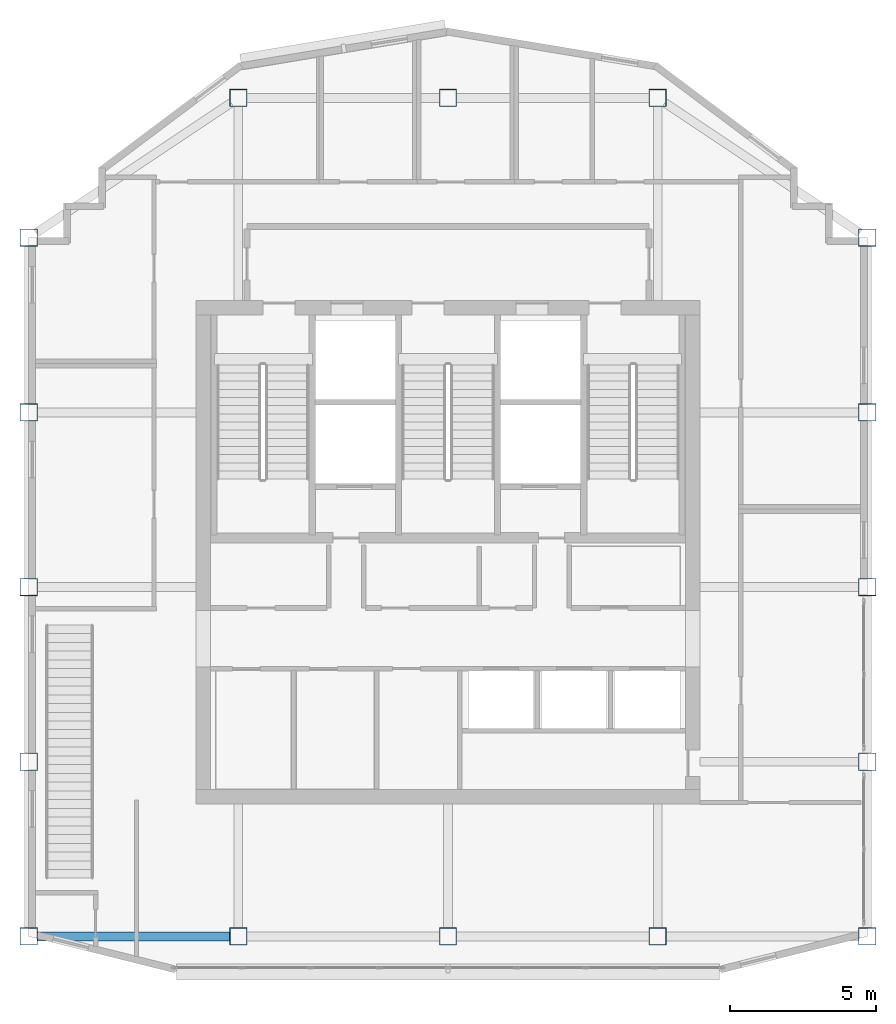
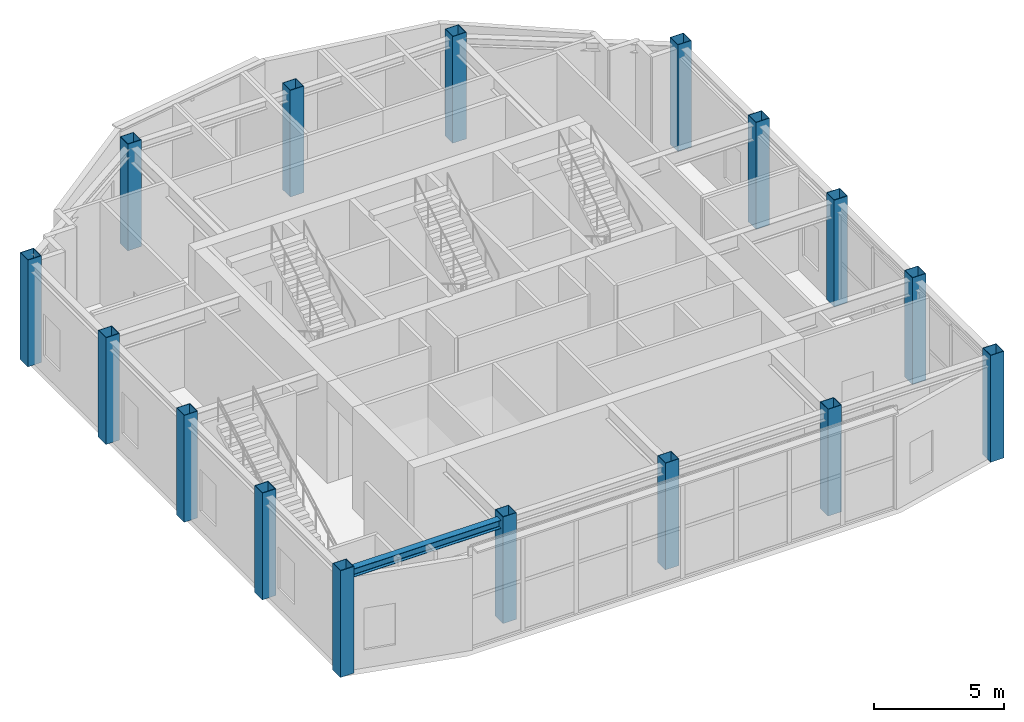
# One storey, part 1 of 11: 16 columns, 1 beam.
"""IFC4 building model written with IfcOpenShell, lengths in metres."""

from ifc_helpers import new_model, si_unit, direction, frame, origin, origin_2d, place, context, subcontext, project, spatial, hollow_rectangle, i_section, extrude, material, material_profile, profile_set, type_object, element, save


model = new_model("IFC4")

# Units and contexts
model_context = context("Model", 3, precision=1e-05, world=origin(), true_north=direction((0.0, 1.0)))
body_context = subcontext(model_context, "Body", "Model", "MODEL_VIEW")
ifc_project = project(units=[si_unit("LENGTHUNIT", "METRE"), si_unit("AREAUNIT", "SQUARE_METRE"), si_unit("VOLUMEUNIT", "CUBIC_METRE"), si_unit("PLANEANGLEUNIT", "RADIAN"), si_unit("MASSUNIT", "GRAM", prefix="KILO")], contexts=[model_context])

# Site, building, storey
site_placement = place(None, origin())
site = spatial("IfcSite", under=ifc_project, at=site_placement, CompositionType="ELEMENT")
building_placement = place(site_placement, origin())
building = spatial("IfcBuilding", under=site, at=building_placement, Name="Haolan Belvedere Tower", CompositionType="ELEMENT")
storey_placement = place(building_placement, frame((0.0, 0.0, 318.199951171875)))
storey = spatial("IfcBuildingStorey", under=building, at=storey_placement, Name="L80", CompositionType="ELEMENT", Elevation=318.199951171875)

# Columns
ifc_material_1 = material(Name="Steel Q390GJC", Category="steel")
ifc_material_profile_1 = material_profile(ifc_material_1, hollow_rectangle(XDim=0.60009765625, YDim=0.60009765625, WallThickness=0.02392578125, at=origin_2d()), Name="Steel Q390GJC")
ifc_profile_set_1 = profile_set([ifc_material_profile_1], Name="Steel Q390GJC")
column_type = type_object("IfcColumnType", Name="COL-BOX600x600x24", PredefinedType="COLUMN", material=ifc_profile_set_1)
for number, where, z_axis, x_axis, name in (
    (1, (24.0, 21.60009765625, 0.0), (0.0, 0.0, 1.0), (1.0, 0.0, 0.0), "L80 column MC-T3-SW (BOX600x600x24)"),
    (2, (24.0, 33.60009765625, 0.0), (0.0, 0.0, 1.0), (1.0, 0.0, 0.0), "L80 column MC-T3-MW (BOX600x600x24)"),
    (3, (24.0, 45.60009765625, 0.0), (0.0, 0.0, 1.0), (1.0, 0.0, 0.0), "L80 column MC-T3-NW (BOX600x600x24)"),
    (4, (52.800048828125, 21.60009765625, 0.0), (0.0, 0.0, 1.0), (1.0, 0.0, 0.0), "L80 column MC-T3-SE (BOX600x600x24)"),
    (5, (52.800048828125, 33.60009765625, 0.0), (0.0, 0.0, 1.0), (1.0, 0.0, 0.0), "L80 column MC-T3-ME (BOX600x600x24)"),
    (6, (52.800048828125, 45.60009765625, 0.0), (0.0, 0.0, 1.0), (1.0, 0.0, 0.0), "L80 column MC-T3-NE (BOX600x600x24)"),
    (7, (31.199951171875, 21.60009765625, 0.0), (0.0, 0.0, 1.0), (1.0, 0.0, 0.0), "L80 column MC-T3-S1 (BOX600x600x24)"),
    (8, (45.60009765625, 21.60009765625, 0.0), (0.0, 0.0, 1.0), (1.0, 0.0, 0.0), "L80 column MC-T3-S2 (BOX600x600x24)"),
    (9, (31.199951171875, 50.39990234375, 0.0), (0.0, 0.0, 1.0), (1.0, 0.0, 0.0), "L80 column MC-T3-N1 (BOX600x600x24)"),
    (10, (45.60009765625, 50.39990234375, 0.0), (0.0, 0.0, 1.0), (1.0, 0.0, 0.0), "L80 column MC-T3-N2 (BOX600x600x24)"),
    (11, (24.0, 27.60009765625, 0.0), (0.0, 0.0, 1.0), (1.0, 0.0, 0.0), "L80 column TC-T3-W1 (BOX600x600x24)"),
    (12, (24.0, 39.60009765625, 0.0), (0.0, 0.0, 1.0), (1.0, 0.0, 0.0), "L80 column TC-T3-W2 (BOX600x600x24)"),
    (13, (52.800048828125, 27.60009765625, 0.0), (0.0, 0.0, 1.0), (1.0, 0.0, 0.0), "L80 column TC-T3-E1 (BOX600x600x24)"),
    (14, (52.800048828125, 39.60009765625, 0.0), (0.0, 0.0, 1.0), (1.0, 0.0, 0.0), "L80 column TC-T3-E2 (BOX600x600x24)"),
    (15, (38.39990234375, 21.60009765625, 0.0), (0.0, 0.0, 1.0), (1.0, 0.0, 0.0), "L80 column TC-T3-SM (BOX600x600x24)"),
    (16, (38.39990234375, 50.39990234375, 0.0), (0.0, 0.0, 1.0), (1.0, 0.0, 0.0), "L80 column TC-T3-NM (BOX600x600x24)"),
):
    element("IfcColumn", number, at=place(storey_placement, frame(where, z_axis=z_axis, x_axis=x_axis)), inside=storey, type_object=column_type, Name=name, PredefinedType="COLUMN", context=body_context, shape_type="SweptSolid", body=[
        extrude(hollow_rectangle(XDim=0.60009765625, YDim=0.60009765625, WallThickness=0.02392578125, at=origin_2d()), origin(), (0.0, 0.0, 1.0), 5.0),
    ])

# Beam
ifc_material_2 = material(Name="Steel Q355B", Category="steel")
ifc_material_profile_2 = material_profile(ifc_material_2, i_section(OverallWidth=0.300048828125, OverallDepth=0.389892578125, WebThickness=0.010009765625, FlangeThickness=0.01611328125, FilletRadius=0.02197265625, at=origin_2d()), Name="Steel Q355B")
ifc_profile_set_2 = profile_set([ifc_material_profile_2], Name="Steel Q355B")
beam_type = type_object("IfcBeamType", Name="BM-HM390x300x10x16", PredefinedType="SPANDREL", material=ifc_profile_set_2)
beam_placement = place(storey_placement, frame((24.300048828125, 21.60009765625, 4.56494140625), z_axis=(1.0, 0.0, 0.0), x_axis=(0.0, 1.0, 0.0)))
element("IfcBeam", 17, at=beam_placement, inside=storey, type_object=beam_type, Name="L80 spandrel girder MC-T3-SW-MC-T3-S1", PredefinedType="SPANDREL", context=body_context, shape_type="SweptSolid", body=[
    extrude(i_section(OverallWidth=0.300048828125, OverallDepth=0.389892578125, WebThickness=0.010009765625, FlangeThickness=0.01611328125, FilletRadius=0.02197265625, at=origin_2d()), origin(), (0.0, 0.0, 1.0), 6.599853515625),
])

save(model, "model.ifc")
